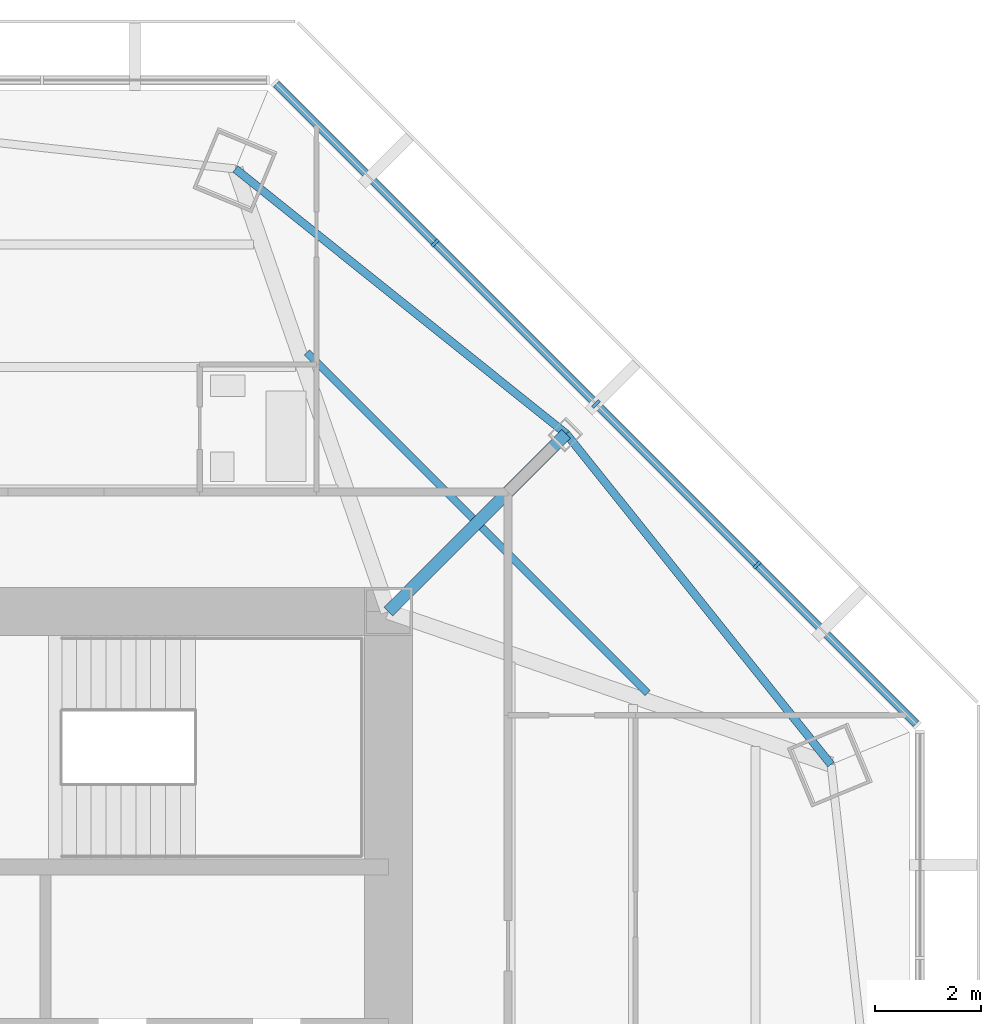
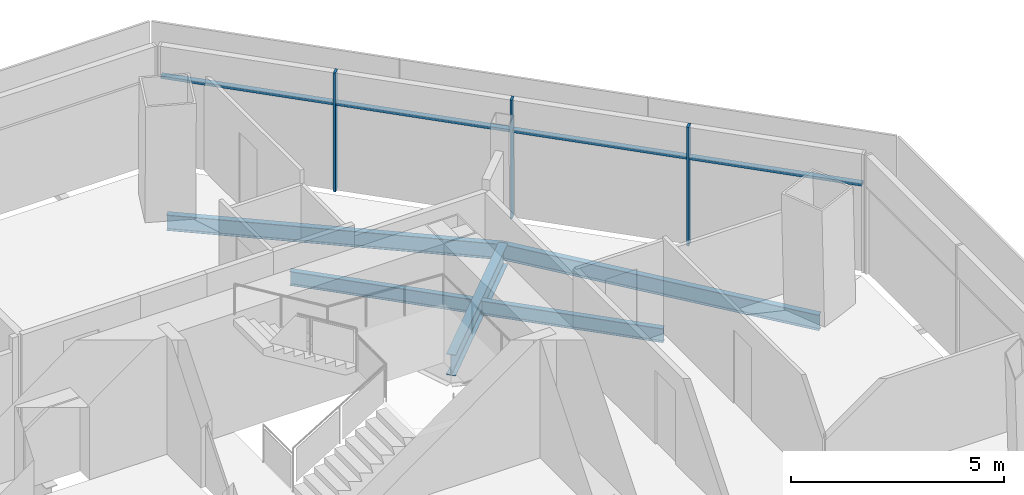
# One storey, part 6 of 14: 7 members, 5 beams, 1 element without a shape of its own.
"""IFC4 building model written with IfcOpenShell, lengths in metres."""

from ifc_helpers import new_model, si_unit, direction, frame, origin, origin_2d, place, context, subcontext, project, spatial, rectangle, i_section, extrude, source, transform, mapped, material, material_profile, profile_set, type_object, type_shapes, element, aggregate, save


model = new_model("IFC4")

# Units and contexts
model_context = context("Model", 3, precision=1e-05, world=origin(), true_north=direction((0.0, 1.0)))
body_context = subcontext(model_context, "Body", "Model", "MODEL_VIEW")
ifc_project = project(units=[si_unit("LENGTHUNIT", "METRE"), si_unit("AREAUNIT", "SQUARE_METRE"), si_unit("VOLUMEUNIT", "CUBIC_METRE"), si_unit("PLANEANGLEUNIT", "RADIAN"), si_unit("MASSUNIT", "GRAM", prefix="KILO")], contexts=[model_context])

# Site, building, storey
site_placement = place(None, origin())
site = spatial("IfcSite", under=ifc_project, at=site_placement, CompositionType="ELEMENT")
building_placement = place(site_placement, origin())
building = spatial("IfcBuilding", under=site, at=building_placement, Name="Mashrafa Tower", CompositionType="ELEMENT")
storey_placement = place(building_placement, frame((0.0, 0.0, 255.0)))
storey = spatial("IfcBuildingStorey", under=building, at=storey_placement, Name="L61", CompositionType="ELEMENT", Elevation=255.0)

# Beams
ifc_material_1 = material(Name="Steel ASTM A992", Category="steel")
ifc_material_profile_1 = material_profile(ifc_material_1, i_section(OverallWidth=0.140380859375, OverallDepth=0.40380859375, WebThickness=0.007080078125, FlangeThickness=0.01123046875, FilletRadius=0.01025390625, at=origin_2d()), Name="W16X31")
ifc_profile_set_1 = profile_set([ifc_material_profile_1], Name="Steel ASTM A992")
beam_type_1 = type_object("IfcBeamType", Name="Beam W16X31", PredefinedType="BEAM", material=ifc_profile_set_1)
for number, where, z_axis, x_axis, name in (
    (1, (9.27001953125, 15.677001953125, -0.40185546875), (0.707106781187, -0.707106781187, 0.0), (0.707106781187, 0.707106781187, 0.0), "Floor beam L61 021"),
    (2, (12.55419921875, 12.392822265625, -0.40185546875), (0.707106781187, -0.707106781187, 0.0), (0.707106781187, 0.707106781187, 0.0), "Floor beam L61 025"),
):
    element("IfcBeam", number, at=place(storey_placement, frame(where, z_axis=z_axis, x_axis=x_axis)), inside=storey, type_object=beam_type_1, Name=name, PredefinedType="BEAM", context=body_context, shape_type="SweptSolid", body=[
        extrude(i_section(OverallWidth=0.140380859375, OverallDepth=0.40380859375, WebThickness=0.007080078125, FlangeThickness=0.01123046875, FilletRadius=0.01025390625, at=origin_2d()), origin(), (0.0, 0.0, 1.0), 4.416259765625),
    ])
ifc_material_2 = material(Name="Steel ASTM A992", Category="steel")
ifc_material_profile_2 = material_profile(ifc_material_2, i_section(OverallWidth=0.15234375, OverallDepth=0.449462890625, WebThickness=0.007568359375, FlangeThickness=0.0107421875, FilletRadius=0.01025390625, at=origin_2d()), Name="W18X35")
ifc_profile_set_2 = profile_set([ifc_material_profile_2], Name="Steel ASTM A992")
beam_type_2 = type_object("IfcBeamType", Name="Beam W18X35", PredefinedType="BEAM", material=ifc_profile_set_2)
for number, where, z_axis, x_axis, name in (
    (3, (14.14697265625, 14.14697265625, -0.4248046875), (-0.780698474243, 0.624907907066, 0.0), (-0.624907907066, -0.780698474243, 0.0), "Spandrel beam L61 061"),
    (4, (19.128662109375, 7.92333984375, -0.4248046875), (-0.624907907066, 0.780698474243, 0.0), (-0.780698474243, -0.624907907066, 0.0), "Spandrel beam L61 063"),
):
    element("IfcBeam", number, at=place(storey_placement, frame(where, z_axis=z_axis, x_axis=x_axis)), inside=storey, type_object=beam_type_2, Name=name, PredefinedType="BEAM", context=body_context, shape_type="SweptSolid", body=[
        extrude(i_section(OverallWidth=0.15234375, OverallDepth=0.449462890625, WebThickness=0.007568359375, FlangeThickness=0.0107421875, FilletRadius=0.01025390625, at=origin_2d()), origin(), (0.0, 0.0, 1.0), 7.971923828125),
    ])
ifc_material_3 = material(Name="Steel ASTM A992", Category="steel")
ifc_material_profile_3 = material_profile(ifc_material_3, i_section(OverallWidth=0.227783203125, OverallDepth=0.60205078125, WebThickness=0.010498046875, FlangeThickness=0.014892578125, FilletRadius=0.012939453125, at=origin_2d()), Name="W24X68")
ifc_profile_set_3 = profile_set([ifc_material_profile_3], Name="Steel ASTM A992")
beam_type_3 = type_object("IfcBeamType", Name="Beam W24X68", PredefinedType="BEAM", material=ifc_profile_set_3)
beam_placement = place(storey_placement, frame((10.800048828125, 10.800048828125, -0.5009765625), z_axis=(0.707106781187, 0.707106781187, 0.0), x_axis=(-0.707106781187, 0.707106781187, 0.0)))
element("IfcBeam", 5, at=beam_placement, inside=storey, type_object=beam_type_3, Name="Radial girder L61 047", PredefinedType="BEAM", context=body_context, shape_type="SweptSolid", body=[
    extrude(i_section(OverallWidth=0.227783203125, OverallDepth=0.60205078125, WebThickness=0.010498046875, FlangeThickness=0.014892578125, FilletRadius=0.012939453125, at=origin_2d()), origin(), (0.0, 0.0, 1.0), 4.733154296875),
])

# Curtain wall, members
ifc_material_4 = material(Name="Unitised aluminium curtain wall", Category="aluminium")
curtain_wall_type = type_object("IfcCurtainWallType", Name="Apartment curtain wall, zone 3 CW-C 180 deep", PredefinedType="NOTDEFINED", material=ifc_material_4)
curtain_wall_placement = place(storey_placement, origin())
curtain_wall = element("IfcCurtainWall", 6, at=curtain_wall_placement, inside=storey, type_object=curtain_wall_type, Name="Apartment curtain wall, zone 3 L61 north-east", PredefinedType="NOTDEFINED")
ifc_material_5 = material(Name="Extruded aluminium mullion", Category="aluminium")
ifc_material_profile_4 = material_profile(ifc_material_5, rectangle(XDim=0.179931640625, YDim=0.06005859375, at=origin_2d()), Name="Mullion 60x180")
ifc_profile_set_4 = profile_set([ifc_material_profile_4], Name="Extruded aluminium mullion")
member_type_1 = type_object("IfcMemberType", Name="Mullion CW-C 60 x 180", PredefinedType="MULLION", material=ifc_profile_set_4)
shared_shape_1 = source(origin(), body_context, "Body", "SweptSolid", [
    extrude(rectangle(XDim=0.179931640625, YDim=0.06005859375, at=origin_2d()), origin(), (0.0, 0.0, 1.0), 3.39990234375),
])
type_shapes(member_type_1, [shared_shape_1])
member_1_placement = place(storey_placement, frame((17.73828125, 11.67919921875, 0.0), z_axis=(0.0, 0.0, 1.0), x_axis=(-0.707106781187, -0.707106781187, 0.0)))
member_1 = element("IfcMember", 7, at=member_1_placement, type_object=member_type_1, Name="CW-C mullion 2", PredefinedType="MULLION", context=body_context, shape_type="MappedRepresentation", body=[
    mapped(shared_shape_1, transform((0.0, 0.0, 0.0))),
])
member_2_placement = place(storey_placement, frame((14.708740234375, 14.708740234375, 0.0), z_axis=(0.0, 0.0, 1.0), x_axis=(-0.707106781187, -0.707106781187, 0.0)))
member_2 = element("IfcMember", 8, at=member_2_placement, type_object=member_type_1, Name="CW-C mullion 3", PredefinedType="MULLION", context=body_context, shape_type="MappedRepresentation", body=[
    mapped(shared_shape_1, transform((0.0, 0.0, 0.0))),
])
member_3_placement = place(storey_placement, frame((11.67919921875, 17.73828125, 0.0), z_axis=(0.0, 0.0, 1.0), x_axis=(-0.707106781187, -0.707106781187, 0.0)))
member_3 = element("IfcMember", 9, at=member_3_placement, type_object=member_type_1, Name="CW-C mullion 4", PredefinedType="MULLION", context=body_context, shape_type="MappedRepresentation", body=[
    mapped(shared_shape_1, transform((0.0, 0.0, 0.0))),
])
ifc_material_6 = material(Name="Extruded aluminium transom", Category="aluminium")
ifc_material_profile_5 = material_profile(ifc_material_6, rectangle(XDim=0.14404296875, YDim=0.074951171875, at=origin_2d()), Name="Transom 75x144")
ifc_profile_set_5 = profile_set([ifc_material_profile_5], Name="Extruded aluminium transom")
member_type_2 = type_object("IfcMemberType", Name="Transom CW-C 75 x 144", PredefinedType="MULLION", material=ifc_profile_set_5)
shared_shape_2 = source(origin(), body_context, "Body", "SweptSolid", [
    extrude(rectangle(XDim=0.14404296875, YDim=0.074951171875, at=origin_2d()), origin(), (0.0, 0.0, 1.0), 4.194580078125),
])
member_4_placement = place(storey_placement, frame((20.725341796875, 8.69189453125, 2.5), z_axis=(-0.707106781187, 0.707106781187, 0.0), x_axis=(-0.707106781187, -0.707106781187, 0.0)))
member_4 = element("IfcMember", 10, at=member_4_placement, type_object=member_type_2, Name="CW-C transom 1", PredefinedType="MULLION", context=body_context, shape_type="MappedRepresentation", body=[
    mapped(shared_shape_2, transform((0.0, 0.0, 0.0))),
])
member_5_placement = place(storey_placement, frame((11.657958984375, 17.75927734375, 2.5), z_axis=(-0.707106781187, 0.707106781187, 0.0), x_axis=(-0.707106781187, -0.707106781187, 0.0)))
member_5 = element("IfcMember", 11, at=member_5_placement, type_object=member_type_2, Name="CW-C transom 4", PredefinedType="MULLION", context=body_context, shape_type="MappedRepresentation", body=[
    mapped(shared_shape_2, transform((0.0, 0.0, 0.0))),
])
shared_shape_3 = source(origin(), body_context, "Body", "SweptSolid", [
    extrude(rectangle(XDim=0.14404296875, YDim=0.074951171875, at=origin_2d()), origin(), (0.0, 0.0, 1.0), 4.224609375),
])
type_shapes(member_type_2, [shared_shape_2, shared_shape_3])
member_6_placement = place(storey_placement, frame((17.717041015625, 11.7001953125, 2.5), z_axis=(-0.707106781187, 0.707106781187, 0.0), x_axis=(-0.707106781187, -0.707106781187, 0.0)))
member_6 = element("IfcMember", 12, at=member_6_placement, type_object=member_type_2, Name="CW-C transom 2", PredefinedType="MULLION", context=body_context, shape_type="MappedRepresentation", body=[
    mapped(shared_shape_3, transform((0.0, 0.0, 0.0))),
])
member_7_placement = place(storey_placement, frame((14.6875, 14.729736328125, 2.5), z_axis=(-0.707106781187, 0.707106781187, 0.0), x_axis=(-0.707106781187, -0.707106781187, 0.0)))
member_7 = element("IfcMember", 13, at=member_7_placement, type_object=member_type_2, Name="CW-C transom 3", PredefinedType="MULLION", context=body_context, shape_type="MappedRepresentation", body=[
    mapped(shared_shape_3, transform((0.0, 0.0, 0.0))),
])
aggregate(curtain_wall, [member_1, member_2, member_3, member_4, member_6, member_7, member_5])

save(model, "model.ifc")
